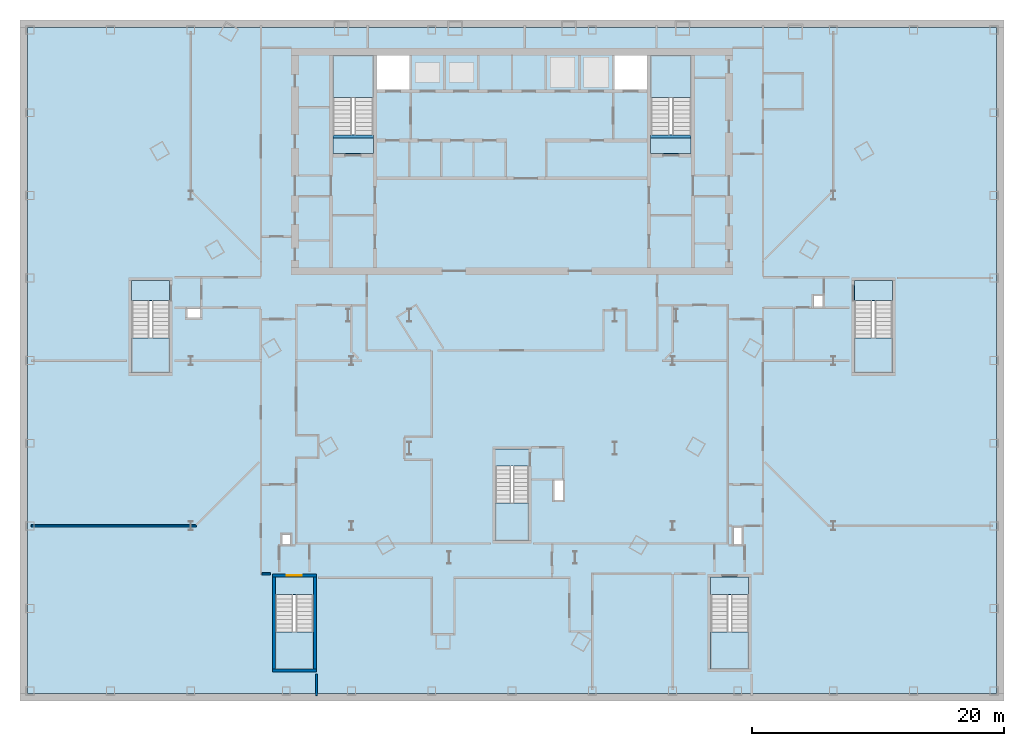
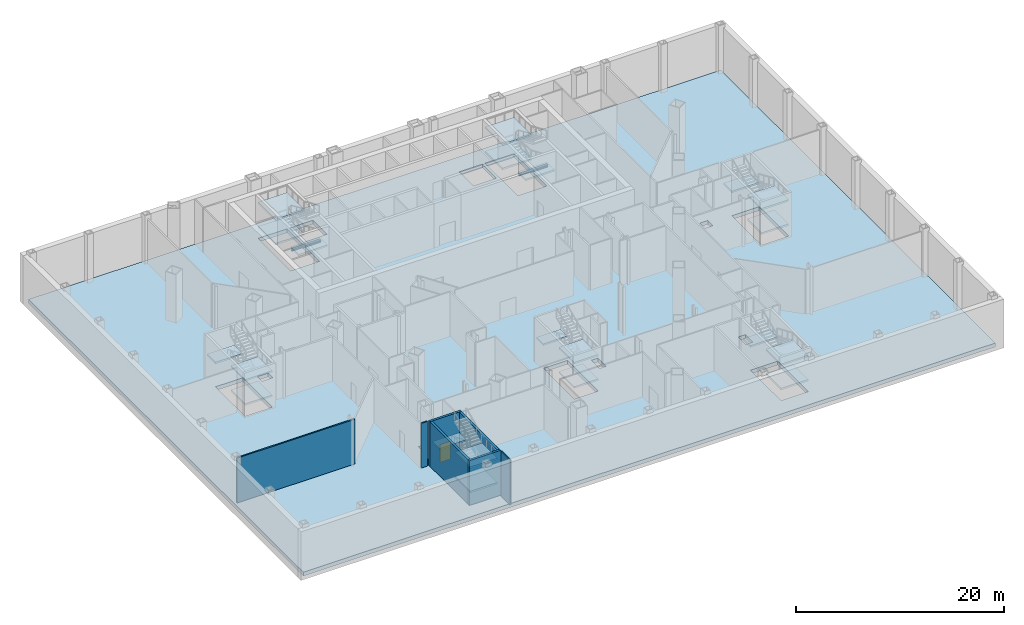
# One storey, part 4 of 18: 22 slabs, 7 walls, 2 beams, 1 door, 1 opening, 7 elements without a shape of their own.
"""IFC4 building model written with IfcOpenShell, lengths in metres."""

from ifc_helpers import new_model, si_unit, direction, frame, frame_2d, origin, origin_2d, place, context, subcontext, project, spatial, polyline, rectangle, i_section, outline, extrude, material, layer, layer_set, material_profile, profile_set, type_object, element, fill, aggregate, save


model = new_model("IFC4")

# Units and contexts
model_context = context("Model", 3, precision=1e-05, world=origin(), true_north=direction((0.0, 1.0)))
body_context = subcontext(model_context, "Body", "Model", "MODEL_VIEW")
ifc_project = project(units=[si_unit("LENGTHUNIT", "METRE"), si_unit("AREAUNIT", "SQUARE_METRE"), si_unit("VOLUMEUNIT", "CUBIC_METRE"), si_unit("PLANEANGLEUNIT", "RADIAN"), si_unit("MASSUNIT", "GRAM", prefix="KILO")], contexts=[model_context])

# Site, building, storey
site_placement = place(None, origin())
site = spatial("IfcSite", under=ifc_project, at=site_placement, CompositionType="ELEMENT")
building_placement = place(site_placement, origin())
building = spatial("IfcBuilding", under=site, at=building_placement, Name="Njiva Tower", CompositionType="ELEMENT")
storey_placement = place(building_placement, frame((0.0, 0.0, -5.7)))
storey = spatial("IfcBuildingStorey", under=building, at=storey_placement, Name="B1", CompositionType="ELEMENT", Elevation=-5.7)

# Beams
ifc_material_1 = material(Name="Steel S355 J2", Category="steel")
ifc_material_profile = material_profile(ifc_material_1, i_section(OverallWidth=0.24, OverallDepth=0.23, WebThickness=0.0075, FlangeThickness=0.012, at=origin_2d()), Name="HEA240")
ifc_profile_set = profile_set([ifc_material_profile], Name="Steel S355 J2")
beam_type = type_object("IfcBeamType", Name="FL8 Landing beam HEA 240", PredefinedType="BEAM", material=ifc_profile_set)
for number, where, z_axis, x_axis, name in (
    (1, (-14.206, 10.98, 2.535), (1.0, 0.0, 0.0), (0.0, 1.0, 0.0), "Landing beam"),
    (2, (10.994, 10.98, 2.535), (1.0, 0.0, 0.0), (0.0, 1.0, 0.0), "Landing beam"),
):
    element("IfcBeam", number, at=place(storey_placement, frame(where, z_axis=z_axis, x_axis=x_axis)), inside=storey, type_object=beam_type, Name=name, PredefinedType="BEAM", context=body_context, shape_type="SweptSolid", body=[
        extrude(i_section(OverallWidth=0.24, OverallDepth=0.23, WebThickness=0.0075, FlangeThickness=0.012, at=origin_2d()), origin(), (0.0, 0.0, 1.0), 3.212),
    ])

# Stair, slabs
ifc_material_2 = material(Name="Concrete C40/50", Category="concrete")
stair_type_1 = type_object("IfcStairType", Name="ST4 Exit stair 1500", PredefinedType="HALF_TURN_STAIR", material=ifc_material_2)
stair_1_placement = place(storey_placement, origin())
stair_1 = element("IfcStair", 3, at=stair_1_placement, inside=storey, type_object=stair_type_1, Name="Stair A basement", PredefinedType="DOUBLE_RETURN_STAIR")
ifc_layer_1 = layer(ifc_material_2, 0.2)
ifc_layer_set_1 = layer_set([ifc_layer_1], Name="Concrete C40/50")
slab_type_1 = type_object("IfcSlabType", Name="FL9 Stair landing 200", PredefinedType="LANDING", material=ifc_layer_set_1)
slab_1_placement = place(storey_placement, frame((0.0, 0.0, 1.225)))
slab_1 = element("IfcSlab", 4, at=slab_1_placement, type_object=slab_type_1, Name="ST-AB landing 1", PredefinedType="LANDING", context=body_context, shape_type="SweptSolid", body=[
    extrude(outline(polyline([(-14.206, 14.07), (-10.994, 14.07), (-10.994, 17.4), (-14.206, 17.4), (-14.206, 14.07)])), origin(), (0.0, 0.0, 1.0), 0.2),
])
slab_2_placement = place(storey_placement, frame((0.0, 0.0, 2.65)))
slab_2 = element("IfcSlab", 5, at=slab_2_placement, type_object=slab_type_1, Name="ST-AB landing 2", PredefinedType="LANDING", context=body_context, shape_type="SweptSolid", body=[
    extrude(outline(polyline([(-14.206, 9.6), (-10.994, 9.6), (-10.994, 11.1), (-14.206, 11.1), (-14.206, 9.6)])), origin(), (0.0, 0.0, 1.0), 0.2),
])
slab_3_placement = place(storey_placement, frame((0.0, 0.0, 4.075)))
slab_3 = element("IfcSlab", 6, at=slab_3_placement, type_object=slab_type_1, Name="ST-AB landing 3", PredefinedType="LANDING", context=body_context, shape_type="SweptSolid", body=[
    extrude(outline(polyline([(-14.206, 14.07), (-10.994, 14.07), (-10.994, 17.4), (-14.206, 17.4), (-14.206, 14.07)])), origin(), (0.0, 0.0, 1.0), 0.2),
])
aggregate(stair_1, [slab_1, slab_2, slab_3])

stair_2_placement = place(storey_placement, origin())
stair_2 = element("IfcStair", 7, at=stair_2_placement, inside=storey, type_object=stair_type_1, Name="Stair B basement", PredefinedType="DOUBLE_RETURN_STAIR")
slab_4_placement = place(storey_placement, frame((0.0, 0.0, 1.225)))
slab_4 = element("IfcSlab", 8, at=slab_4_placement, type_object=slab_type_1, Name="ST-BB landing 1", PredefinedType="LANDING", context=body_context, shape_type="SweptSolid", body=[
    extrude(outline(polyline([(10.994, 14.07), (14.206, 14.07), (14.206, 17.4), (10.994, 17.4), (10.994, 14.07)])), origin(), (0.0, 0.0, 1.0), 0.2),
])
slab_5_placement = place(storey_placement, frame((0.0, 0.0, 2.65)))
slab_5 = element("IfcSlab", 9, at=slab_5_placement, type_object=slab_type_1, Name="ST-BB landing 2", PredefinedType="LANDING", context=body_context, shape_type="SweptSolid", body=[
    extrude(outline(polyline([(10.994, 9.6), (14.206, 9.6), (14.206, 11.1), (10.994, 11.1), (10.994, 9.6)])), origin(), (0.0, 0.0, 1.0), 0.2),
])
slab_6_placement = place(storey_placement, frame((0.0, 0.0, 4.075)))
slab_6 = element("IfcSlab", 10, at=slab_6_placement, type_object=slab_type_1, Name="ST-BB landing 3", PredefinedType="LANDING", context=body_context, shape_type="SweptSolid", body=[
    extrude(outline(polyline([(10.994, 14.07), (14.206, 14.07), (14.206, 17.4), (10.994, 17.4), (10.994, 14.07)])), origin(), (0.0, 0.0, 1.0), 0.2),
])
aggregate(stair_2, [slab_4, slab_5, slab_6])

stair_type_2 = type_object("IfcStairType", Name="ST1 Exit stair 1250", PredefinedType="HALF_TURN_STAIR", material=ifc_material_2)
stair_3_placement = place(storey_placement, origin())
stair_3 = element("IfcStair", 11, at=stair_3_placement, inside=storey, type_object=stair_type_2, Name="Stair C basement", PredefinedType="DOUBLE_RETURN_STAIR")
slab_7_placement = place(storey_placement, frame((0.0, 0.0, 1.225)))
slab_7 = element("IfcSlab", 12, at=slab_7_placement, type_object=slab_type_1, Name="ST-CB landing 1", PredefinedType="LANDING", context=body_context, shape_type="SweptSolid", body=[
    extrude(outline(polyline([(-1.331, -21.075), (1.331, -21.075), (1.331, -18.105), (-1.331, -18.105), (-1.331, -21.075)])), origin(), (0.0, 0.0, 1.0), 0.2),
])
slab_8_placement = place(storey_placement, frame((0.0, 0.0, 2.65)))
slab_8 = element("IfcSlab", 13, at=slab_8_placement, type_object=slab_type_1, Name="ST-CB landing 2", PredefinedType="LANDING", context=body_context, shape_type="SweptSolid", body=[
    extrude(outline(polyline([(-1.331, -15.135), (1.331, -15.135), (1.331, -13.825), (-1.331, -13.825), (-1.331, -15.135)])), origin(), (0.0, 0.0, 1.0), 0.2),
])
slab_9_placement = place(storey_placement, frame((0.0, 0.0, 4.075)))
slab_9 = element("IfcSlab", 14, at=slab_9_placement, type_object=slab_type_1, Name="ST-CB landing 3", PredefinedType="LANDING", context=body_context, shape_type="SweptSolid", body=[
    extrude(outline(polyline([(-1.331, -21.075), (1.331, -21.075), (1.331, -18.105), (-1.331, -18.105), (-1.331, -21.075)])), origin(), (0.0, 0.0, 1.0), 0.2),
])
aggregate(stair_3, [slab_7, slab_8, slab_9])

stair_type_3 = type_object("IfcStairType", Name="ST2 Exit stair 1400", PredefinedType="HALF_TURN_STAIR", material=ifc_material_2)
stair_4_placement = place(storey_placement, origin())
stair_4 = element("IfcStair", 15, at=stair_4_placement, inside=storey, type_object=stair_type_3, Name="Stair D basement", PredefinedType="DOUBLE_RETURN_STAIR")
slab_10_placement = place(storey_placement, frame((0.0, 0.0, 1.225)))
slab_10 = element("IfcSlab", 16, at=slab_10_placement, type_object=slab_type_1, Name="ST-DB landing 1", PredefinedType="LANDING", context=body_context, shape_type="SweptSolid", body=[
    extrude(outline(polyline([(-18.756, -31.25), (-15.744, -31.25), (-15.744, -28.32), (-18.756, -28.32), (-18.756, -31.25)])), origin(), (0.0, 0.0, 1.0), 0.2),
])
slab_11_placement = place(storey_placement, frame((0.0, 0.0, 2.65)))
slab_11 = element("IfcSlab", 17, at=slab_11_placement, type_object=slab_type_1, Name="ST-DB landing 2", PredefinedType="LANDING", context=body_context, shape_type="SweptSolid", body=[
    extrude(outline(polyline([(-18.756, -25.35), (-15.744, -25.35), (-15.744, -23.95), (-18.756, -23.95), (-18.756, -25.35)])), origin(), (0.0, 0.0, 1.0), 0.2),
])
slab_12_placement = place(storey_placement, frame((0.0, 0.0, 4.075)))
slab_12 = element("IfcSlab", 18, at=slab_12_placement, type_object=slab_type_1, Name="ST-DB landing 3", PredefinedType="LANDING", context=body_context, shape_type="SweptSolid", body=[
    extrude(outline(polyline([(-18.756, -31.25), (-15.744, -31.25), (-15.744, -28.32), (-18.756, -28.32), (-18.756, -31.25)])), origin(), (0.0, 0.0, 1.0), 0.2),
])
aggregate(stair_4, [slab_10, slab_11, slab_12])

stair_5_placement = place(storey_placement, origin())
stair_5 = element("IfcStair", 19, at=stair_5_placement, inside=storey, type_object=stair_type_3, Name="Stair E basement", PredefinedType="DOUBLE_RETURN_STAIR")
slab_13_placement = place(storey_placement, frame((0.0, 0.0, 1.225)))
slab_13 = element("IfcSlab", 20, at=slab_13_placement, type_object=slab_type_1, Name="ST-EB landing 1", PredefinedType="LANDING", context=body_context, shape_type="SweptSolid", body=[
    extrude(outline(polyline([(15.744, -31.25), (18.756, -31.25), (18.756, -28.32), (15.744, -28.32), (15.744, -31.25)])), origin(), (0.0, 0.0, 1.0), 0.2),
])
slab_14_placement = place(storey_placement, frame((0.0, 0.0, 2.65)))
slab_14 = element("IfcSlab", 21, at=slab_14_placement, type_object=slab_type_1, Name="ST-EB landing 2", PredefinedType="LANDING", context=body_context, shape_type="SweptSolid", body=[
    extrude(outline(polyline([(15.744, -25.35), (18.756, -25.35), (18.756, -23.95), (15.744, -23.95), (15.744, -25.35)])), origin(), (0.0, 0.0, 1.0), 0.2),
])
slab_15_placement = place(storey_placement, frame((0.0, 0.0, 4.075)))
slab_15 = element("IfcSlab", 22, at=slab_15_placement, type_object=slab_type_1, Name="ST-EB landing 3", PredefinedType="LANDING", context=body_context, shape_type="SweptSolid", body=[
    extrude(outline(polyline([(15.744, -31.25), (18.756, -31.25), (18.756, -28.32), (15.744, -28.32), (15.744, -31.25)])), origin(), (0.0, 0.0, 1.0), 0.2),
])
aggregate(stair_5, [slab_13, slab_14, slab_15])

stair_6_placement = place(storey_placement, origin())
stair_6 = element("IfcStair", 23, at=stair_6_placement, inside=storey, type_object=stair_type_3, Name="Stair F basement", PredefinedType="DOUBLE_RETURN_STAIR")
slab_16_placement = place(storey_placement, frame((0.0, 0.0, 1.225)))
slab_16 = element("IfcSlab", 24, at=slab_16_placement, type_object=slab_type_1, Name="ST-FB landing 1", PredefinedType="LANDING", context=body_context, shape_type="SweptSolid", body=[
    extrude(outline(polyline([(-30.156, -7.75), (-27.144, -7.75), (-27.144, -5.02), (-30.156, -5.02), (-30.156, -7.75)])), origin(), (0.0, 0.0, 1.0), 0.2),
])
slab_17_placement = place(storey_placement, frame((0.0, 0.0, 2.65)))
slab_17 = element("IfcSlab", 25, at=slab_17_placement, type_object=slab_type_1, Name="ST-FB landing 2", PredefinedType="LANDING", context=body_context, shape_type="SweptSolid", body=[
    extrude(outline(polyline([(-30.156, -2.05), (-27.144, -2.05), (-27.144, -0.45), (-30.156, -0.45), (-30.156, -2.05)])), origin(), (0.0, 0.0, 1.0), 0.2),
])
slab_18_placement = place(storey_placement, frame((0.0, 0.0, 4.075)))
slab_18 = element("IfcSlab", 26, at=slab_18_placement, type_object=slab_type_1, Name="ST-FB landing 3", PredefinedType="LANDING", context=body_context, shape_type="SweptSolid", body=[
    extrude(outline(polyline([(-30.156, -7.75), (-27.144, -7.75), (-27.144, -5.02), (-30.156, -5.02), (-30.156, -7.75)])), origin(), (0.0, 0.0, 1.0), 0.2),
])
aggregate(stair_6, [slab_16, slab_17, slab_18])

stair_7_placement = place(storey_placement, origin())
stair_7 = element("IfcStair", 27, at=stair_7_placement, inside=storey, type_object=stair_type_3, Name="Stair G basement", PredefinedType="DOUBLE_RETURN_STAIR")
slab_19_placement = place(storey_placement, frame((0.0, 0.0, 1.225)))
slab_19 = element("IfcSlab", 28, at=slab_19_placement, type_object=slab_type_1, Name="ST-GB landing 1", PredefinedType="LANDING", context=body_context, shape_type="SweptSolid", body=[
    extrude(outline(polyline([(27.144, -7.75), (30.156, -7.75), (30.156, -5.02), (27.144, -5.02), (27.144, -7.75)])), origin(), (0.0, 0.0, 1.0), 0.2),
])
slab_20_placement = place(storey_placement, frame((0.0, 0.0, 2.65)))
slab_20 = element("IfcSlab", 29, at=slab_20_placement, type_object=slab_type_1, Name="ST-GB landing 2", PredefinedType="LANDING", context=body_context, shape_type="SweptSolid", body=[
    extrude(outline(polyline([(27.144, -2.05), (30.156, -2.05), (30.156, -0.45), (27.144, -0.45), (27.144, -2.05)])), origin(), (0.0, 0.0, 1.0), 0.2),
])
slab_21_placement = place(storey_placement, frame((0.0, 0.0, 4.075)))
slab_21 = element("IfcSlab", 30, at=slab_21_placement, type_object=slab_type_1, Name="ST-GB landing 3", PredefinedType="LANDING", context=body_context, shape_type="SweptSolid", body=[
    extrude(outline(polyline([(27.144, -7.75), (30.156, -7.75), (30.156, -5.02), (27.144, -5.02), (27.144, -7.75)])), origin(), (0.0, 0.0, 1.0), 0.2),
])
aggregate(stair_7, [slab_19, slab_20, slab_21])

# Slab
ifc_layer_2 = layer(ifc_material_2, 0.45)
ifc_layer_set_2 = layer_set([ifc_layer_2], Name="Concrete C40/50")
slab_type_2 = type_object("IfcSlabType", Name="SL11 Concrete flat plate 450", PredefinedType="FLOOR", material=ifc_layer_set_2)
slab_22_placement = place(storey_placement, frame((0.0, 0.0, -0.45)))
element("IfcSlab", 31, at=slab_22_placement, inside=storey, type_object=slab_type_2, Name="Floor slab B1", PredefinedType="FLOOR", context=body_context, shape_type="SweptSolid", body=[
    extrude(outline(polyline([(-38.4, -33.2), (-38.4, 19.6), (38.4, 19.6), (38.4, -33.2), (-38.4, -33.2)]), holes=[polyline([(27.144, -7.75), (30.156, -7.75), (30.156, -2.08), (27.144, -2.08), (27.144, -7.75)]), polyline([(24.725, -2.6), (24.725, -1.6), (23.825, -1.6), (23.825, -2.6), (24.725, -2.6)]), polyline([(18.756, -31.25), (18.756, -25.38), (15.744, -25.38), (15.744, -31.25), (18.756, -31.25)]), polyline([(17.5, -21.425), (18.3, -21.425), (18.3, -19.975), (17.5, -19.975), (17.5, -21.425)]), polyline([(10.994, 11.13), (14.206, 11.13), (14.206, 17.4), (10.994, 17.4), (10.994, 11.13)]), polyline([(8.125, 14.7), (10.7, 14.7), (10.7, 17.4), (8.125, 17.4), (8.125, 14.7)]), polyline([(3.35, -17.85), (4.05, -17.85), (4.05, -16.3), (3.35, -16.3), (3.35, -17.85)]), polyline([(-1.331, -21.075), (1.331, -21.075), (1.331, -15.165), (-1.331, -15.165), (-1.331, -21.075)]), polyline([(-10.7, 14.7), (-8.125, 14.7), (-8.125, 17.4), (-10.7, 17.4), (-10.7, 14.7)]), polyline([(-14.206, 11.13), (-10.994, 11.13), (-10.994, 17.4), (-14.206, 17.4), (-14.206, 11.13)]), polyline([(-15.744, -31.25), (-15.744, -25.38), (-18.756, -25.38), (-18.756, -31.25), (-15.744, -31.25)]), polyline([(-18.3, -21.425), (-17.5, -21.425), (-17.5, -20.525), (-18.3, -20.525), (-18.3, -21.425)]), polyline([(-24.625, -2.6), (-25.825, -2.6), (-25.825, -3.5), (-24.625, -3.5), (-24.625, -2.6)]), polyline([(-30.156, -7.75), (-27.144, -7.75), (-27.144, -2.08), (-30.156, -2.08), (-30.156, -7.75)])]), origin(), (0.0, 0.0, 1.0), 0.45),
])

# Walls
ifc_material_3 = material(Name="Gypsum board on steel studs", Category="gypsum")
ifc_layer_3 = layer(ifc_material_3, 0.15)
ifc_layer_set_3 = layer_set([ifc_layer_3], Name="Gypsum board on steel studs")
wall_type_1 = type_object("IfcWallType", Name="WT21 Compartment wall 150", PredefinedType="PARTITIONING", material=ifc_layer_set_3)
wall_1_placement = place(storey_placement, frame((-38.1, -19.9, 0.0), z_axis=(0.0, 0.0, 1.0), x_axis=(1.0, 0.0, 0.0)))
element("IfcWall", 32, at=wall_1_placement, inside=storey, type_object=wall_type_1, Name="Partition B1-P001", PredefinedType="PARTITIONING", context=body_context, shape_type="SweptSolid", body=[
    extrude(rectangle(XDim=13.074, YDim=0.15, at=frame_2d((6.537, 0.0))), origin(), (0.0, 0.0, 1.0), 5.25),
])
wall_2_placement = place(storey_placement, frame((-19.825, -23.7, 0.0), z_axis=(0.0, 0.0, 1.0), x_axis=(1.0, 0.0, 0.0)))
element("IfcWall", 33, at=wall_2_placement, inside=storey, type_object=wall_type_1, Name="Partition B1-P021", PredefinedType="PARTITIONING", context=body_context, shape_type="SweptSolid", body=[
    extrude(rectangle(XDim=0.675, YDim=0.15, at=frame_2d((0.3375, 0.0))), origin(), (0.0, 0.0, 1.0), 5.25),
])
wall_3_placement = place(storey_placement, frame((-15.5, -33.35, 0.0), z_axis=(0.0, 0.0, 1.0), x_axis=(0.0, 1.0, 0.0)))
element("IfcWall", 34, at=wall_3_placement, inside=storey, type_object=wall_type_1, Name="Partition B1-P042", PredefinedType="PARTITIONING", context=body_context, shape_type="SweptSolid", body=[
    extrude(rectangle(XDim=1.7, YDim=0.15, at=frame_2d((0.85, 0.0))), origin(), (0.0, 0.0, 1.0), 5.25),
])
ifc_layer_4 = layer(ifc_material_2, 0.25)
ifc_layer_set_4 = layer_set([ifc_layer_4], Name="Concrete C40/50")
wall_type_2 = type_object("IfcWallType", Name="WT9 Stair enclosure wall 250", PredefinedType="SHEAR", material=ifc_layer_set_4)
for number, where, z_axis, x_axis, name in (
    (35, (-18.875, -31.25, 0.0), (0.0, 0.0, 1.0), (0.0, 1.0, 0.0), "Stair D wall west"),
    (36, (-15.625, -31.25, 0.0), (0.0, 0.0, 1.0), (0.0, 1.0, 0.0), "Stair D wall east"),
):
    element("IfcWall", number, at=place(storey_placement, frame(where, z_axis=z_axis, x_axis=x_axis)), inside=storey, type_object=wall_type_2, Name=name, PredefinedType="SHEAR", context=body_context, shape_type="SweptSolid", body=[
        extrude(rectangle(XDim=7.3, YDim=0.25, at=frame_2d((3.65, 0.0))), origin(), (0.0, 0.0, 1.0), 5.25),
    ])
wall_4_placement = place(storey_placement, frame((-19.0, -31.375, 0.0), z_axis=(0.0, 0.0, 1.0), x_axis=(1.0, 0.0, 0.0)))
element("IfcWall", 37, at=wall_4_placement, inside=storey, type_object=wall_type_2, Name="Stair D wall south", PredefinedType="SHEAR", context=body_context, shape_type="SweptSolid", body=[
    extrude(rectangle(XDim=3.5, YDim=0.25, at=frame_2d((1.75, 0.0))), origin(), (0.0, 0.0, 1.0), 5.25),
])

# Wall, opening, door
wall_5_placement = place(storey_placement, frame((-19.0, -23.825, 0.0), z_axis=(0.0, 0.0, 1.0), x_axis=(1.0, 0.0, 0.0)))
wall_5 = element("IfcWall", 38, at=wall_5_placement, inside=storey, type_object=wall_type_2, Name="Stair D wall north", PredefinedType="SHEAR", context=body_context, shape_type="SweptSolid", body=[
    extrude(rectangle(XDim=3.5, YDim=0.25, at=frame_2d((1.75, 0.0))), origin(), (0.0, 0.0, 1.0), 5.25),
])
opening_placement = place(wall_5_placement, frame((1.15, 0.0, 0.0)))
opening = element("IfcOpeningElement", 39, at=opening_placement, cuts=wall_5, Name="Opening B1-D939", PredefinedType="OPENING", context=body_context, shape_type="SweptSolid", body=[
    extrude(rectangle(XDim=1.2, YDim=2.1, at=frame_2d((0.6, 1.05))), frame((0.0, 0.135, 0.0), z_axis=(0.0, -1.0, 0.0), x_axis=(1.0, 0.0, 0.0)), (0.0, 0.0, 1.0), 0.27),
])
ifc_material_4 = material(Name="Steel door, painted", Category="steel")
door_type = type_object("IfcDoorType", Name="D1 Stair door 1200x2100", OperationType="SINGLE_SWING_LEFT", PredefinedType="DOOR", material=ifc_material_4)
door_placement = place(opening_placement, origin())
door = element("IfcDoor", 40, at=door_placement, inside=storey, type_object=door_type, Name="Stair D door", OperationType="SINGLE_SWING_LEFT", OverallHeight=2.1, OverallWidth=1.2, PredefinedType="DOOR", context=body_context, shape_type="SweptSolid", body=[
    extrude(rectangle(XDim=1.2, YDim=2.1, at=frame_2d((0.6, 1.05))), frame((0.0, 0.025, 0.0), z_axis=(0.0, -1.0, 0.0), x_axis=(1.0, 0.0, 0.0)), (0.0, 0.0, 1.0), 0.05),
])
fill(opening, door)

save(model, "model.ifc")
